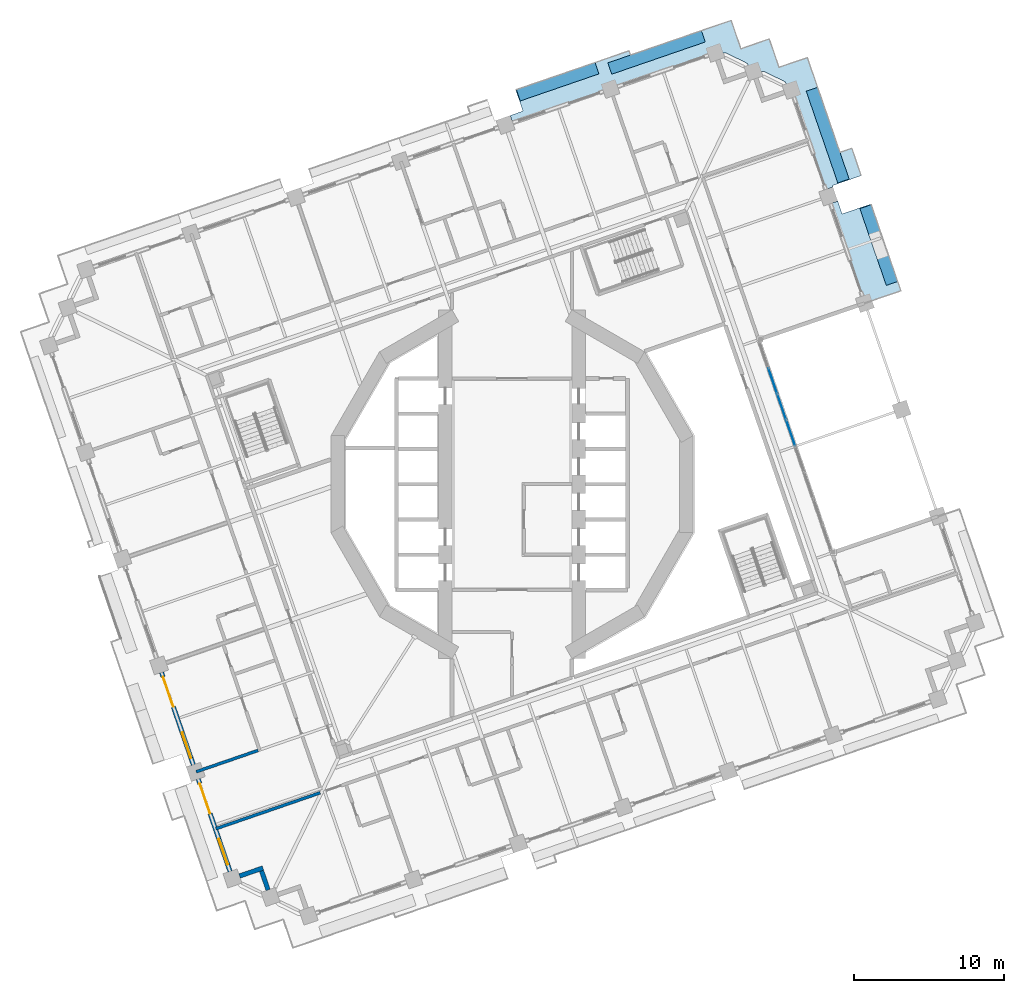
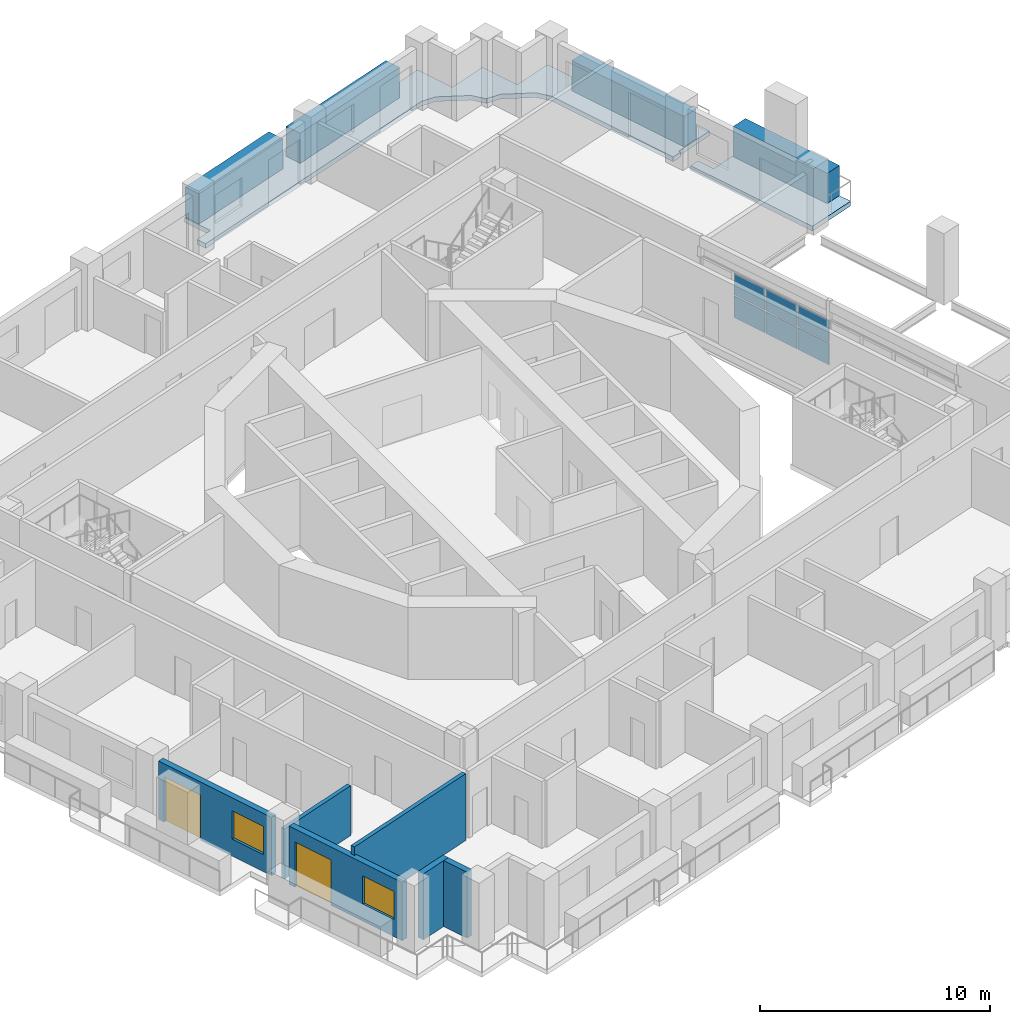
# One storey, part 7 of 22: 10 plates, 6 walls, 2 doors, 2 slabs, 2 windows, 4 openings, 1 element without a shape of its own.
"""IFC4 building model written with IfcOpenShell, lengths in metres."""

import ifcopenshell
import ifcopenshell.guid

model = None  # the IFC model being written
_history = None  # IfcOwnerHistory: only IFC2X3 demands one
_inside = {}  # id of a spatial element -> (the spatial element, [elements in it])
_under = {}  # id of a project, library or spatial element -> (it, [spatial elements below it])
_declared = {}  # id of a project -> (the project, [libraries it declares])
_typed = {}  # id of a type object -> (the type object, [elements of that type])
_made_of = {}  # id of a material, layer set ... -> (it, [elements and type objects made of it])


def new_model(schema):
    """Start an empty IFC model of exactly this schema.

    Asked for "IFC4X3", IfcOpenShell would pick the latest addendum, in which some entities
    have other attributes; the version numbers below select the first issue.
    IFC2X3 requires an IfcOwnerHistory on every rooted entity: one is made here for all.
    """
    global model, _history
    if schema == "IFC4X3":
        model = ifcopenshell.file(schema_version=(4, 3, 0, 0))
    else:
        model = ifcopenshell.file(schema=schema)
    _inside.clear()
    _under.clear()
    _declared.clear()
    _typed.clear()
    _made_of.clear()
    _history = None
    if model.schema == "IFC2X3":
        org = make("IfcOrganization", Name="unknown")
        user = make(
            "IfcPersonAndOrganization",
            ThePerson=make("IfcPerson", FamilyName="unknown"),
            TheOrganization=org,
        )
        app = make(
            "IfcApplication",
            ApplicationDeveloper=org,
            Version="unknown",
            ApplicationFullName="unknown",
            ApplicationIdentifier="unknown",
        )
        _history = make(
            "IfcOwnerHistory",
            OwningUser=user,
            OwningApplication=app,
            ChangeAction="ADDED",
            CreationDate=0,
        )
    return model


def make(cls, **values):
    """One entity of the class cls with the attributes given. An attribute that is None is left unset."""
    return model.create_entity(
        cls, **{name: value for name, value in values.items() if value is not None}
    )


def rooted(cls, **values):
    """An entity with a GlobalId (a new one), such as an element, a storey or a relation."""
    return make(cls, GlobalId=ifcopenshell.guid.new(), OwnerHistory=_history, **values)


def si_unit(unit_type, name, prefix=None):
    """IfcSIUnit, for example si_unit("LENGTHUNIT", "METRE", prefix="MILLI")."""
    return make("IfcSIUnit", UnitType=unit_type, Prefix=prefix, Name=name)


def assignment(units):
    """IfcUnitAssignment: the units of a project."""
    return None if units is None else make("IfcUnitAssignment", Units=units)


def point(xyz):
    """IfcCartesianPoint."""
    return None if xyz is None else make("IfcCartesianPoint", Coordinates=xyz)


def direction(xyz):
    """IfcDirection."""
    return None if xyz is None else make("IfcDirection", DirectionRatios=xyz)


def frame(location, z_axis=None, x_axis=None):
    """IfcAxis2Placement3D, a coordinate frame: its origin and axes. An axis left out is left unset."""
    return make(
        "IfcAxis2Placement3D",
        Location=point(location),
        Axis=direction(z_axis),
        RefDirection=direction(x_axis),
    )


def frame_2d(location, x_axis=None):
    """IfcAxis2Placement2D, a coordinate frame in the plane: its origin and x axis."""
    return make(
        "IfcAxis2Placement2D", Location=point(location), RefDirection=direction(x_axis)
    )


def origin():
    """The frame at (0, 0, 0) with its axes left unset."""
    return frame((0.0, 0.0, 0.0))


def origin_2d():
    """The frame at (0, 0) in the plane with its x axis left unset."""
    return frame_2d((0.0, 0.0))


def place(relative_to, where):
    """IfcLocalPlacement: puts the frame where relative to a parent placement (None: the world)."""
    return make(
        "IfcLocalPlacement", PlacementRelTo=relative_to, RelativePlacement=where
    )


def context(
    kind, dimensions, precision=None, world=None, true_north=None, identifier=None
):
    """IfcGeometricRepresentationContext, for example the 3D "Model" context."""
    return make(
        "IfcGeometricRepresentationContext",
        ContextIdentifier=identifier,
        ContextType=kind,
        CoordinateSpaceDimension=dimensions,
        Precision=precision,
        WorldCoordinateSystem=world,
        TrueNorth=true_north,
    )


def subcontext(parent, identifier, kind, view, scale=None):
    """IfcGeometricRepresentationSubContext, for example "Body" below "Model"."""
    return make(
        "IfcGeometricRepresentationSubContext",
        ContextIdentifier=identifier,
        ContextType=kind,
        ParentContext=parent,
        TargetScale=scale,
        TargetView=view,
    )


def project(units=None, contexts=None):
    """IfcProject with its units and contexts."""
    return rooted(
        "IfcProject",
        Name="project",
        RepresentationContexts=contexts,
        UnitsInContext=assignment(units),
    )


def spatial(cls, under=None, at=None, **own):
    """A site, building, storey or space (cls), placed at a placement, below another one or the project."""
    s = rooted(cls, ObjectPlacement=at, **own)
    if under is not None:
        _under.setdefault(under.id(), (under, []))[1].append(s)
    return s


def polyline(points):
    """IfcPolyline through the points."""
    return make("IfcPolyline", Points=[point(p) for p in points])


def profile(cls, at=None, kind="AREA", **sizes):
    """A parametric profile (cls). Its sizes go by their IFC names, for example OverallWidth=200.0."""
    return make(cls, ProfileType=kind, Position=at, **sizes)


def rectangle(**sizes):
    """IfcRectangleProfileDef."""
    return profile("IfcRectangleProfileDef", **sizes)


def outline(outer, holes=None, kind="AREA"):
    """IfcArbitraryClosedProfileDef: a profile drawn as a closed curve; with holes, ...WithVoids."""
    if holes is None:
        return make("IfcArbitraryClosedProfileDef", ProfileType=kind, OuterCurve=outer)
    return make(
        "IfcArbitraryProfileDefWithVoids",
        ProfileType=kind,
        OuterCurve=outer,
        InnerCurves=holes,
    )


def extrude(swept, where, along, depth):
    """IfcExtrudedAreaSolid: the profile swept, set in the frame where, extruded along a direction by depth."""
    return make(
        "IfcExtrudedAreaSolid",
        SweptArea=swept,
        Position=where,
        ExtrudedDirection=direction(along),
        Depth=depth,
    )


def shape(context_of_items, identifier, shape_type, items):
    """IfcShapeRepresentation: the items that make up one representation, for example the "Body"."""
    return make(
        "IfcShapeRepresentation",
        ContextOfItems=context_of_items,
        RepresentationIdentifier=identifier,
        RepresentationType=shape_type,
        Items=items,
    )


def material(Name=None, Category=None):
    """IfcMaterial."""
    return make("IfcMaterial", Name=Name, Category=Category)


def layer(
    of_material, thickness, ventilated=None, Name=None, Category=None, Priority=None
):
    """IfcMaterialLayer: one layer of a wall or slab, of a material (None: an air gap)."""
    return make(
        "IfcMaterialLayer",
        Material=of_material,
        LayerThickness=thickness,
        IsVentilated=ventilated,
        Name=Name,
        Category=Category,
        Priority=Priority,
    )


def layer_set(layers, Name=None):
    """IfcMaterialLayerSet."""
    return make("IfcMaterialLayerSet", MaterialLayers=layers, LayerSetName=Name)


def made_of(thing, what):
    """Note that an element or type object is made of a material, layer set ...; save() writes the relation."""
    if what is not None:
        _made_of.setdefault(what.id(), (what, []))[1].append(thing)
    return thing


def type_object(cls, material=None, **own):
    """A type object (cls), such as IfcWallType, which elements share."""
    return made_of(rooted(cls, **own), material)


def element(
    cls,
    number,
    at=None,
    inside=None,
    cuts=None,
    type_object=None,
    material=None,
    context=None,
    identifier="Body",
    shape_type=None,
    held_by="IfcProductDefinitionShape",
    body=None,
    shapes=None,
    **own,
):
    """One element of the class cls, such as IfcWall. Its Tag is "e" and its number.

    at: its placement. inside: the storey or other place that contains it. cuts: it is an
    opening in that element (IfcRelVoidsElement). A single representation is given by context,
    identifier, shape_type and body (its items); several are given by shapes. held_by: the class
    of the entity that holds the representations. save() writes the other relations.
    """
    e = rooted(cls, Tag="e%d" % number, ObjectPlacement=at, **own)
    if body is not None:
        shapes = [shape(context, identifier, shape_type, body)]
    if shapes is not None:
        e.Representation = make(held_by, Representations=shapes)
    if inside is not None:
        _inside.setdefault(inside.id(), (inside, []))[1].append(e)
    if cuts is not None:
        rooted(
            "IfcRelVoidsElement", RelatingBuildingElement=cuts, RelatedOpeningElement=e
        )
    if type_object is not None:
        _typed.setdefault(type_object.id(), (type_object, []))[1].append(e)
    return made_of(e, material)


def fill(opening, filler):
    """IfcRelFillsElement: the door or window that sits in an opening."""
    return rooted(
        "IfcRelFillsElement",
        RelatingOpeningElement=opening,
        RelatedBuildingElement=filler,
    )


def aggregate(whole, parts):
    """IfcRelAggregates: a whole, such as a stair, and the parts it consists of."""
    return rooted("IfcRelAggregates", RelatingObject=whole, RelatedObjects=parts)


def save(model, path):
    """Write the relations noted so far, then the file.

    IfcRelAggregates (storeys below a building ...), IfcRelContainedInSpatialStructure (elements
    in a storey), IfcRelDefinesByType, IfcRelAssociatesMaterial and IfcRelDeclares: one each for
    every whole, place, type object, material and project.
    """
    for whole, parts in _under.values():
        aggregate(whole, parts)
    for where, things in _inside.values():
        rooted(
            "IfcRelContainedInSpatialStructure",
            RelatedElements=things,
            RelatingStructure=where,
        )
    for kind, things in _typed.values():
        rooted("IfcRelDefinesByType", RelatedObjects=things, RelatingType=kind)
    for what, things in _made_of.values():
        rooted("IfcRelAssociatesMaterial", RelatedObjects=things, RelatingMaterial=what)
    for by, libraries in _declared.values():
        rooted("IfcRelDeclares", RelatingContext=by, RelatedDefinitions=libraries)
    model.write(path)


model = new_model("IFC4")

# Units and contexts
model_context = context("Model", 3, precision=1e-05, world=origin(), true_north=direction((0.0, 1.0)))
body_context = subcontext(model_context, "Body", "Model", "MODEL_VIEW")
ifc_project = project(units=[si_unit("LENGTHUNIT", "METRE"), si_unit("AREAUNIT", "SQUARE_METRE"), si_unit("VOLUMEUNIT", "CUBIC_METRE"), si_unit("PLANEANGLEUNIT", "RADIAN"), si_unit("MASSUNIT", "GRAM", prefix="KILO")], contexts=[model_context])

# Site, building, storey
site_placement = place(None, origin())
site = spatial("IfcSite", under=ifc_project, at=site_placement, CompositionType="ELEMENT")
building_placement = place(site_placement, origin())
building = spatial("IfcBuilding", under=site, at=building_placement, Name="Cantera Rosa Tower", CompositionType="ELEMENT")
storey_placement = place(building_placement, frame((0.0, 0.0, 115.5)))
storey = spatial("IfcBuildingStorey", under=building, at=storey_placement, Name="L23", CompositionType="ELEMENT", Elevation=115.5)

# Curtain wall, plates
ifc_material_1 = material(Name="Aluminium frame with clear glass", Category="aluminium")
curtain_wall_type = type_object("IfcCurtainWallType", Name="CW1 TERRACE POCKET GLAZING", PredefinedType="NOTDEFINED", material=ifc_material_1)
curtain_wall_placement = place(storey_placement, origin())
curtain_wall = element("IfcCurtainWall", 1, at=curtain_wall_placement, inside=storey, type_object=curtain_wall_type, Name="CW1 CW1", PredefinedType="NOTDEFINED")
ifc_material_2 = material(Name="Aluminium frame with clear glass", Category="aluminium")
ifc_layer_1 = layer(ifc_material_2, 0.028076171875)
ifc_layer_set_1 = layer_set([ifc_layer_1], Name="CW-PANEL POCKET")
plate_type_1 = type_object("IfcPlateType", Name="CW-PANEL POCKET", PredefinedType="CURTAIN_PANEL", material=ifc_layer_set_1)
plate_1_placement = place(storey_placement, frame((18.6044921875, 3.406982421875, 0.06005859375), z_axis=(0.0, 0.0, 1.0), x_axis=(-0.32556815449, 0.945518575588, 0.0)))
plate_1 = element("IfcPlate", 2, at=plate_1_placement, type_object=plate_type_1, Name="CW1 panel 5.1", PredefinedType="CURTAIN_PANEL", context=body_context, shape_type="SweptSolid", body=[
    extrude(rectangle(XDim=1.788818359375, YDim=0.028076171875, at=origin_2d()), origin(), (0.0, 0.0, 1.0), 1.14990234375),
])
plate_2_placement = place(storey_placement, frame((18.6044921875, 3.406982421875, 1.27001953125), z_axis=(0.0, 0.0, 1.0), x_axis=(-0.32556815449, 0.945518575588, 0.0)))
plate_2 = element("IfcPlate", 3, at=plate_2_placement, type_object=plate_type_1, Name="CW1 panel 5.2", PredefinedType="CURTAIN_PANEL", context=body_context, shape_type="SweptSolid", body=[
    extrude(rectangle(XDim=1.788818359375, YDim=0.028076171875, at=origin_2d()), origin(), (0.0, 0.0, 1.0), 1.14990234375),
])
plate_3_placement = place(storey_placement, frame((18.00244140625, 5.155029296875, 0.06005859375), z_axis=(0.0, 0.0, 1.0), x_axis=(-0.32556815449, 0.945518575588, 0.0)))
plate_3 = element("IfcPlate", 4, at=plate_3_placement, type_object=plate_type_1, Name="CW1 panel 6.1", PredefinedType="CURTAIN_PANEL", context=body_context, shape_type="SweptSolid", body=[
    extrude(rectangle(XDim=1.788818359375, YDim=0.028076171875, at=origin_2d()), origin(), (0.0, 0.0, 1.0), 1.14990234375),
])
plate_4_placement = place(storey_placement, frame((18.00244140625, 5.155029296875, 1.27001953125), z_axis=(0.0, 0.0, 1.0), x_axis=(-0.32556815449, 0.945518575588, 0.0)))
plate_4 = element("IfcPlate", 5, at=plate_4_placement, type_object=plate_type_1, Name="CW1 panel 6.2", PredefinedType="CURTAIN_PANEL", context=body_context, shape_type="SweptSolid", body=[
    extrude(rectangle(XDim=1.788818359375, YDim=0.028076171875, at=origin_2d()), origin(), (0.0, 0.0, 1.0), 1.14990234375),
])
plate_5_placement = place(storey_placement, frame((17.400634765625, 6.903076171875, 0.06005859375), z_axis=(0.0, 0.0, 1.0), x_axis=(-0.32556815449, 0.945518575588, 0.0)))
plate_5 = element("IfcPlate", 6, at=plate_5_placement, type_object=plate_type_1, Name="CW1 panel 7.1", PredefinedType="CURTAIN_PANEL", context=body_context, shape_type="SweptSolid", body=[
    extrude(rectangle(XDim=1.788818359375, YDim=0.028076171875, at=origin_2d()), origin(), (0.0, 0.0, 1.0), 1.14990234375),
])
plate_6_placement = place(storey_placement, frame((17.400634765625, 6.903076171875, 1.27001953125), z_axis=(0.0, 0.0, 1.0), x_axis=(-0.32556815449, 0.945518575588, 0.0)))
plate_6 = element("IfcPlate", 7, at=plate_6_placement, type_object=plate_type_1, Name="CW1 panel 7.2", PredefinedType="CURTAIN_PANEL", context=body_context, shape_type="SweptSolid", body=[
    extrude(rectangle(XDim=1.788818359375, YDim=0.028076171875, at=origin_2d()), origin(), (0.0, 0.0, 1.0), 1.14990234375),
])
aggregate(curtain_wall, [plate_1, plate_2, plate_3, plate_4, plate_5, plate_6])

# Slabs
ifc_material_3 = material(Name="Concrete C35/45", Category="concrete")
ifc_layer_2 = layer(ifc_material_3, 0.25)
ifc_layer_set_2 = layer_set([ifc_layer_2], Name="LOGGIA SLAB 250 C35/45")
slab_type = type_object("IfcSlabType", Name="LOGGIA SLAB 250 C35/45", PredefinedType="FLOOR", material=ifc_layer_set_2)
slab_1_placement = place(storey_placement, frame((0.0, 0.0, -0.25)))
element("IfcSlab", 8, at=slab_1_placement, inside=storey, type_object=slab_type, Name="LOGGIA SLAB L23 6", PredefinedType="FLOOR", context=body_context, shape_type="SweptSolid", body=[
    extrude(outline(polyline([(13.01416015625, 30.392822265625), (14.62158203125, 30.9462890625), (15.1748046875, 29.3388671875), (15.272705078125, 29.05517578125), (15.556396484375, 29.15283203125), (17.16357421875, 29.706298828125), (17.717041015625, 28.09912109375), (17.814697265625, 27.815185546875), (18.098388671875, 27.9130859375), (19.705810546875, 28.466552734375), (20.25927734375, 26.859130859375), (21.882568359375, 22.14501953125), (22.67138671875, 22.41650390625), (23.301025390625, 20.587646484375), (21.377685546875, 19.92529296875), (21.41015625, 19.830810546875), (20.9375, 19.668212890625), (18.948974609375, 25.443115234375), (18.65185546875, 26.3056640625), (18.240966796875, 26.814453125), (18.220458984375, 26.83544921875), (18.197998046875, 26.8544921875), (18.173583984375, 26.87109375), (18.14794921875, 26.88525390625), (16.876708984375, 27.505126953125), (16.849609375, 27.516845703125), (16.82177734375, 27.525634765625), (16.79296875, 27.53173828125), (16.763671875, 27.534912109375), (16.109619140625, 27.54541015625), (15.698974609375, 28.05419921875), (15.67822265625, 28.075439453125), (15.65576171875, 28.09423828125), (15.631591796875, 28.111083984375), (15.605712890625, 28.125), (14.334716796875, 28.7451171875), (14.3076171875, 28.756591796875), (14.279541015625, 28.765625), (14.250732421875, 28.771728515625), (14.221435546875, 28.77490234375), (13.567626953125, 28.785400390625), (0.046630859375, 24.1298828125), (-0.1162109375, 24.6025390625), (0.73486328125, 24.8955078125), (0.24658203125, 26.31298828125), (7.81005859375, 28.91748046875), (7.907470703125, 28.634521484375), (13.01416015625, 30.392822265625)])), origin(), (0.0, 0.0, 1.0), 0.25),
])
slab_2_placement = place(storey_placement, frame((0.0, 0.0, -0.25)))
element("IfcSlab", 9, at=slab_2_placement, inside=storey, type_object=slab_type, Name="LOGGIA SLAB L23 7", PredefinedType="FLOOR", context=body_context, shape_type="SweptSolid", body=[
    extrude(outline(polyline([(21.735595703125, 18.885498046875), (22.02880859375, 18.034423828125), (23.9521484375, 18.69677734375), (25.944580078125, 12.91015625), (23.548583984375, 12.0849609375), (21.262939453125, 18.72265625), (21.735595703125, 18.885498046875)])), origin(), (0.0, 0.0, 1.0), 0.25),
])

# Plates
ifc_material_4 = material(Name="Cantera stone planter with soil", Category="masonry")
plate_type_2 = type_object("IfcPlateType", Name="PLANTER 800", PredefinedType="USERDEFINED", material=ifc_material_4)
plate_7_placement = place(storey_placement, frame((24.47265625, 15.956787109375, 0.0), z_axis=(0.0, 0.0, 1.0), x_axis=(-0.325568154457, 0.945518575599, 0.0)))
element("IfcPlate", 10, at=plate_7_placement, inside=storey, type_object=plate_type_2, Name="PLANTER L23-04", ObjectType="PLANTER", PredefinedType="USERDEFINED", context=body_context, shape_type="SweptSolid", body=[
    extrude(rectangle(XDim=5.419921875, YDim=0.800048828125, at=origin_2d()), origin(), (0.0, 0.0, 1.0), 1.60009765625),
])
plate_8_placement = place(storey_placement, frame((21.064453125, 23.2919921875, 0.0), z_axis=(0.0, 0.0, 1.0), x_axis=(-0.325568154457, 0.945518575599, 0.0)))
element("IfcPlate", 11, at=plate_8_placement, inside=storey, type_object=plate_type_2, Name="PLANTER L23-05", ObjectType="PLANTER", PredefinedType="USERDEFINED", context=body_context, shape_type="SweptSolid", body=[
    extrude(rectangle(XDim=6.469970703125, YDim=0.800048828125, at=origin_2d()), origin(), (0.0, 0.0, 1.0), 1.60009765625),
])
plate_9_placement = place(storey_placement, frame((9.64599609375, 28.81005859375, 0.0), z_axis=(0.0, 0.0, 1.0), x_axis=(-0.945518575599, -0.325568154457, 0.0)))
element("IfcPlate", 12, at=plate_9_placement, inside=storey, type_object=plate_type_2, Name="PLANTER L23-06", ObjectType="PLANTER", PredefinedType="USERDEFINED", context=body_context, shape_type="SweptSolid", body=[
    extrude(rectangle(XDim=6.60009765625, YDim=0.800048828125, at=origin_2d()), origin(), (0.0, 0.0, 1.0), 1.60009765625),
])
plate_10_placement = place(storey_placement, frame((3.048095703125, 26.8544921875, 0.0), z_axis=(0.0, 0.0, 1.0), x_axis=(-0.945518575599, -0.325568154457, 0.0)))
element("IfcPlate", 13, at=plate_10_placement, inside=storey, type_object=plate_type_2, Name="PLANTER L23-07", ObjectType="PLANTER", PredefinedType="USERDEFINED", context=body_context, shape_type="SweptSolid", body=[
    extrude(rectangle(XDim=5.550048828125, YDim=0.800048828125, at=origin_2d()), origin(), (0.0, 0.0, 1.0), 1.60009765625),
])

# Walls
ifc_material_5 = material(Name="Hollow clay masonry with cantera stone cladding", Category="masonry")
ifc_layer_3 = layer(ifc_material_5, 0.300048828125)
ifc_layer_set_3 = layer_set([ifc_layer_3], Name="EW-LOGGIA 300")
wall_type_1 = type_object("IfcWallType", Name="EW-LOGGIA 300", PredefinedType="SOLIDWALL", material=ifc_layer_set_3)
wall_1_placement = place(storey_placement, frame((-18.17919921875, -26.142822265625, 0.0), z_axis=(0.0, 0.0, 1.0), x_axis=(0.945530119553, 0.32553462645, 0.0)))
element("IfcWall", 14, at=wall_1_placement, inside=storey, type_object=wall_type_1, Name="EN-L23-W21a", PredefinedType="SOLIDWALL", context=body_context, shape_type="SweptSolid", body=[
    extrude(rectangle(XDim=1.64990234375, YDim=0.300048828125, at=frame_2d((0.824951171875, 0.0))), origin(), (0.0, 0.0, 1.0), 3.5),
])
wall_2_placement = place(storey_placement, frame((-16.7119140625, -25.79638671875, 0.0), z_axis=(0.0, 0.0, 1.0), x_axis=(0.325544748006, -0.945526634763, 0.0)))
element("IfcWall", 15, at=wall_2_placement, inside=storey, type_object=wall_type_1, Name="EN-L23-W21b", PredefinedType="SOLIDWALL", context=body_context, shape_type="SweptSolid", body=[
    extrude(rectangle(XDim=1.349853515625, YDim=0.300048828125, at=frame_2d((0.6748046875, 0.0))), origin(), (0.0, 0.0, 1.0), 3.5),
])

# Wall, openings, window, door
ifc_material_6 = material(Name="Hollow clay masonry with cantera stone cladding", Category="masonry")
ifc_layer_4 = layer(ifc_material_6, 0.300048828125)
ifc_layer_set_4 = layer_set([ifc_layer_4], Name="EW-LOGGIA 300 H3090")
wall_type_2 = type_object("IfcWallType", Name="EW-LOGGIA 300 H3090", PredefinedType="SOLIDWALL", material=ifc_layer_set_4)
wall_3_placement = place(storey_placement, frame((-23.3857421875, -12.557861328125, 0.0), z_axis=(0.0, 0.0, 1.0), x_axis=(0.325580990241, -0.945514155787, 0.0)))
wall_3 = element("IfcWall", 16, at=wall_3_placement, inside=storey, type_object=wall_type_2, Name="EN-L23-W19", PredefinedType="SOLIDWALL", context=body_context, shape_type="SweptSolid", body=[
    extrude(rectangle(XDim=6.52001953125, YDim=0.300048828125, at=frame_2d((3.260009765625, 0.0))), origin(), (0.0, 0.0, 1.0), 3.090087890625),
])
opening_1_placement = place(wall_3_placement, frame((0.330078125, 0.0, 0.0)))
opening_1 = element("IfcOpeningElement", 17, at=opening_1_placement, cuts=wall_3, Name="Opening L23-TD25", PredefinedType="OPENING", context=body_context, shape_type="SweptSolid", body=[
    extrude(rectangle(XDim=2.10009765625, YDim=2.39990234375, at=frame_2d((1.050048828125, 1.199951171875))), frame((0.0, 0.159912109375, 0.0), z_axis=(0.0, -1.0, 0.0), x_axis=(1.0, 0.0, 0.0)), (0.0, 0.0, 1.0), 0.320068359375),
])
opening_2_placement = place(wall_3_placement, frame((4.239990234375, 0.0, 0.89990234375)))
opening_2 = element("IfcOpeningElement", 18, at=opening_2_placement, cuts=wall_3, Name="Opening L23-W26", PredefinedType="OPENING", context=body_context, shape_type="SweptSolid", body=[
    extrude(rectangle(XDim=1.800048828125, YDim=1.5, at=frame_2d((0.89990234375, 0.75))), frame((0.0, 0.159912109375, 0.0), z_axis=(0.0, -1.0, 0.0), x_axis=(1.0, 0.0, 0.0)), (0.0, 0.0, 1.0), 0.320068359375),
])
ifc_material_7 = material(Name="Aluminium frame with clear glass", Category="aluminium")
window_type = type_object("IfcWindowType", Name="Hotel room window 1800x1500", PartitioningType="DOUBLE_PANEL_VERTICAL", PredefinedType="WINDOW", material=ifc_material_7)
window_1_placement = place(opening_2_placement, origin())
window_1 = element("IfcWindow", 19, at=window_1_placement, inside=storey, type_object=window_type, Name="WINDOW L23-W26", OverallHeight=1.5, OverallWidth=1.800048828125, PartitioningType="SINGLE_PANEL", PredefinedType="WINDOW", context=body_context, shape_type="SweptSolid", body=[
    extrude(rectangle(XDim=1.800048828125, YDim=1.5, at=frame_2d((0.89990234375, 0.75))), frame((0.0, 0.030029296875, 0.0), z_axis=(0.0, -1.0, 0.0), x_axis=(1.0, 0.0, 0.0)), (0.0, 0.0, 1.0), 0.06005859375),
])
fill(opening_2, window_1)
ifc_material_8 = material(Name="Aluminium frame with clear glass", Category="aluminium")
door_type = type_object("IfcDoorType", Name="TD-H 2100x2400", OperationType="NOTDEFINED", PredefinedType="DOOR", material=ifc_material_8)
door_1_placement = place(opening_1_placement, origin())
door_1 = element("IfcDoor", 20, at=door_1_placement, inside=storey, type_object=door_type, Name="LOGGIA DOOR L23-TD25", OperationType="SLIDING_TO_LEFT", OverallHeight=2.39990234375, OverallWidth=2.10009765625, PredefinedType="DOOR", context=body_context, shape_type="SweptSolid", body=[
    extrude(rectangle(XDim=2.10009765625, YDim=2.39990234375, at=frame_2d((1.050048828125, 1.199951171875))), frame((0.0, 0.02490234375, 0.0), z_axis=(0.0, -1.0, 0.0), x_axis=(1.0, 0.0, 0.0)), (0.0, 0.0, 1.0), 0.050048828125),
])
fill(opening_1, door_1)

wall_4_placement = place(storey_placement, frame((-20.9375, -19.668212890625, 0.0), z_axis=(0.0, 0.0, 1.0), x_axis=(0.325592517631, -0.945510186335, 0.0)))
wall_4 = element("IfcWall", 21, at=wall_4_placement, inside=storey, type_object=wall_type_2, Name="EN-L23-W20", PredefinedType="SOLIDWALL", context=body_context, shape_type="SweptSolid", body=[
    extrude(rectangle(XDim=6.519775390625, YDim=0.300048828125, at=frame_2d((3.259765625, 0.0))), origin(), (0.0, 0.0, 1.0), 3.090087890625),
])
opening_3_placement = place(wall_4_placement, frame((0.330078125, 0.0, 0.0)))
opening_3 = element("IfcOpeningElement", 22, at=opening_3_placement, cuts=wall_4, Name="Opening L23-TD27", PredefinedType="OPENING", context=body_context, shape_type="SweptSolid", body=[
    extrude(rectangle(XDim=2.10009765625, YDim=2.39990234375, at=frame_2d((1.050048828125, 1.199951171875))), frame((0.0, 0.159912109375, 0.0), z_axis=(0.0, -1.0, 0.0), x_axis=(1.0, 0.0, 0.0)), (0.0, 0.0, 1.0), 0.320068359375),
])
opening_4_placement = place(wall_4_placement, frame((4.239990234375, 0.0, 0.89990234375)))
opening_4 = element("IfcOpeningElement", 23, at=opening_4_placement, cuts=wall_4, Name="Opening L23-W28", PredefinedType="OPENING", context=body_context, shape_type="SweptSolid", body=[
    extrude(rectangle(XDim=1.800048828125, YDim=1.5, at=frame_2d((0.89990234375, 0.75))), frame((0.0, 0.159912109375, 0.0), z_axis=(0.0, -1.0, 0.0), x_axis=(1.0, 0.0, 0.0)), (0.0, 0.0, 1.0), 0.320068359375),
])
window_2_placement = place(opening_4_placement, origin())
window_2 = element("IfcWindow", 24, at=window_2_placement, inside=storey, type_object=window_type, Name="WINDOW L23-W28", OverallHeight=1.5, OverallWidth=1.800048828125, PartitioningType="SINGLE_PANEL", PredefinedType="WINDOW", context=body_context, shape_type="SweptSolid", body=[
    extrude(rectangle(XDim=1.800048828125, YDim=1.5, at=frame_2d((0.89990234375, 0.75))), frame((0.0, 0.030029296875, 0.0), z_axis=(0.0, -1.0, 0.0), x_axis=(1.0, 0.0, 0.0)), (0.0, 0.0, 1.0), 0.06005859375),
])
fill(opening_4, window_2)
door_2_placement = place(opening_3_placement, origin())
door_2 = element("IfcDoor", 25, at=door_2_placement, inside=storey, type_object=door_type, Name="LOGGIA DOOR L23-TD27", OperationType="SLIDING_TO_LEFT", OverallHeight=2.39990234375, OverallWidth=2.10009765625, PredefinedType="DOOR", context=body_context, shape_type="SweptSolid", body=[
    extrude(rectangle(XDim=2.10009765625, YDim=2.39990234375, at=frame_2d((1.050048828125, 1.199951171875))), frame((0.0, 0.02490234375, 0.0), z_axis=(0.0, -1.0, 0.0), x_axis=(1.0, 0.0, 0.0)), (0.0, 0.0, 1.0), 0.050048828125),
])
fill(opening_3, door_2)

# Walls
ifc_material_9 = material(Name="Gypsum board partition")
ifc_layer_5 = layer(ifc_material_9, 0.199951171875)
ifc_layer_set_5 = layer_set([ifc_layer_5], Name="PARTITION 200 H2650")
wall_type_3 = type_object("IfcWallType", Name="PARTITION 200 H2650", PredefinedType="PARTITIONING", material=ifc_layer_set_5)
wall_5_placement = place(storey_placement, frame((-16.93994140625, -17.7626953125, 0.0), z_axis=(0.0, 0.0, 1.0), x_axis=(-0.945508265481, -0.325598095676, 0.0)))
element("IfcWall", 26, at=wall_5_placement, inside=storey, type_object=wall_type_3, Name="PARTITION L23-021", PredefinedType="PARTITIONING", context=body_context, shape_type="SweptSolid", body=[
    extrude(rectangle(XDim=4.369873046875, YDim=0.199951171875, at=frame_2d((2.18505859375, 0.0))), origin(), (0.0, 0.0, 1.0), 2.64990234375),
])
ifc_material_10 = material(Name="Gypsum board partition")
ifc_layer_6 = layer(ifc_material_10, 0.199951171875)
ifc_layer_set_6 = layer_set([ifc_layer_6], Name="PARTY WALL 200 H3550")
wall_type_4 = type_object("IfcWallType", Name="PARTY WALL 200 H3550", PredefinedType="PARTITIONING", material=ifc_layer_set_6)
wall_6_placement = place(storey_placement, frame((-19.762939453125, -22.986572265625, 0.0), z_axis=(0.0, 0.0, 1.0), x_axis=(0.945516523202, 0.32557411499, 0.0)))
element("IfcWall", 27, at=wall_6_placement, inside=storey, type_object=wall_type_4, Name="PARTY WALL L23-012", PredefinedType="PARTITIONING", context=body_context, shape_type="SweptSolid", body=[
    extrude(rectangle(XDim=7.369873046875, YDim=0.199951171875, at=frame_2d((3.68505859375, 0.0))), origin(), (0.0, 0.0, 1.0), 3.550048828125),
])

save(model, "model.ifc")
